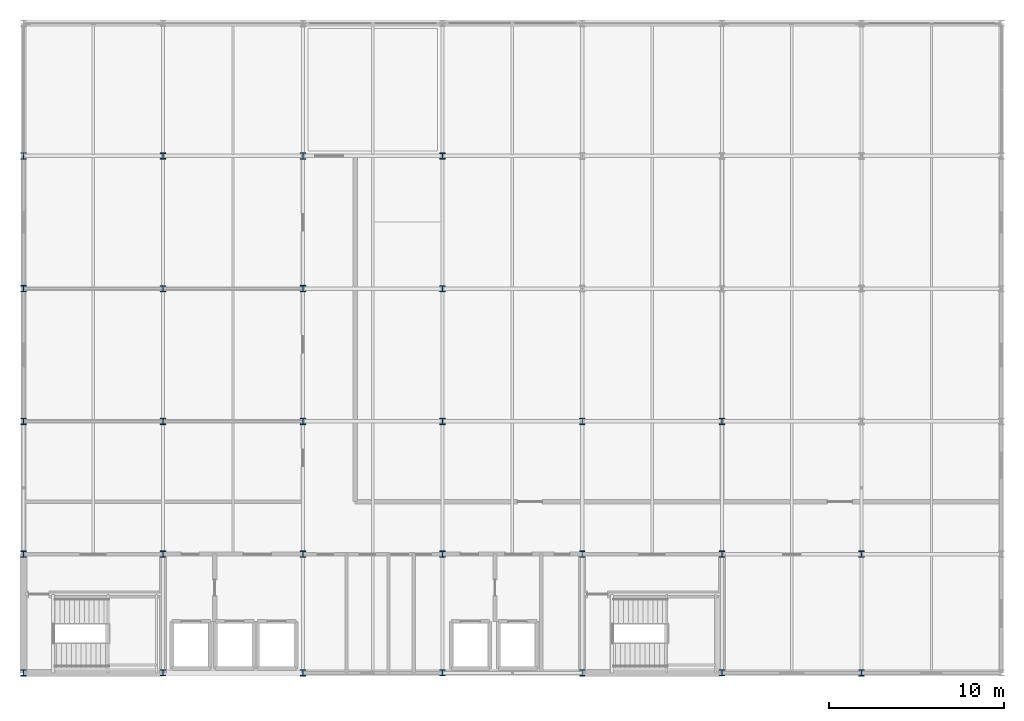
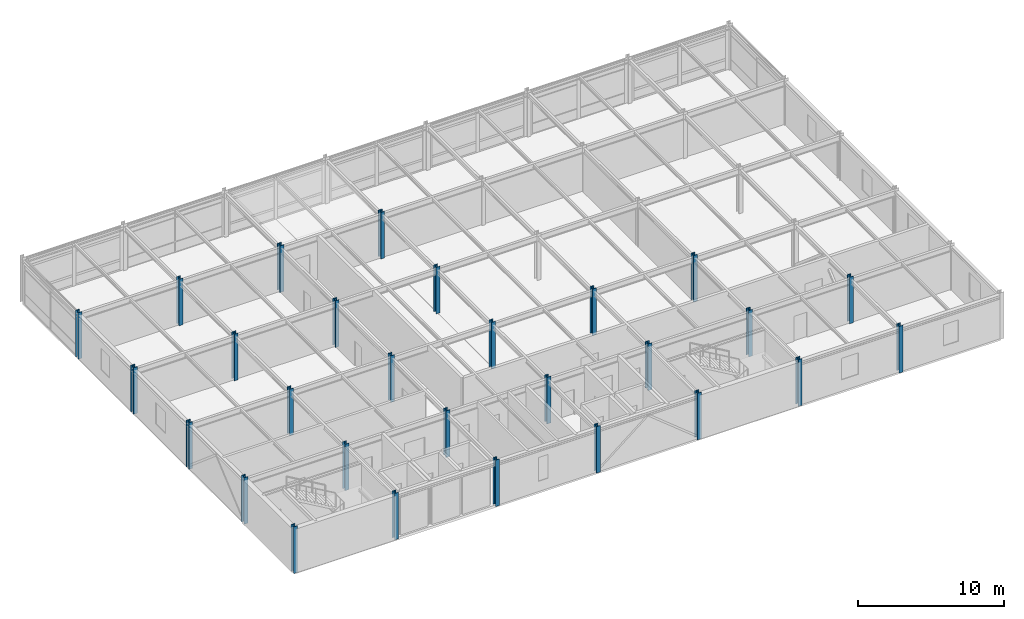
# One storey, part 1 of 16: 28 columns.
"""IFC4 building model written with IfcOpenShell, lengths in metres."""

from ifc_helpers import new_model, si_unit, direction, frame, origin, origin_2d, place, context, subcontext, project, spatial, i_section, extrude, material, material_profile, profile_set, type_object, element, save


model = new_model("IFC4")

# Units and contexts
model_context = context("Model", 3, precision=1e-05, world=origin(), true_north=direction((0.0, 1.0)))
body_context = subcontext(model_context, "Body", "Model", "MODEL_VIEW")
ifc_project = project(units=[si_unit("LENGTHUNIT", "METRE"), si_unit("AREAUNIT", "SQUARE_METRE"), si_unit("VOLUMEUNIT", "CUBIC_METRE"), si_unit("PLANEANGLEUNIT", "RADIAN"), si_unit("MASSUNIT", "GRAM", prefix="KILO")], contexts=[model_context])

# Site, building, storey
site_placement = place(None, origin())
site = spatial("IfcSite", under=ifc_project, at=site_placement, CompositionType="ELEMENT")
building_placement = place(site_placement, origin())
building = spatial("IfcBuilding", under=site, at=building_placement, Name="Shalkamar Park Central Library", CompositionType="ELEMENT")
storey_placement = place(building_placement, frame((0.0, 0.0, 43.800048828125)))
storey = spatial("IfcBuildingStorey", under=building, at=storey_placement, Name="L11", CompositionType="ELEMENT", Elevation=43.800048828125)

# Columns
ifc_material = material(Name="Steel S355", Category="steel")
ifc_material_profile_1 = material_profile(ifc_material, i_section(OverallWidth=0.30908203125, OverallDepth=0.35888671875, WebThickness=0.02099609375, FlangeThickness=0.0400390625, FilletRadius=0.027099609375, at=origin_2d()), Name="HEM 320")
ifc_profile_set_1 = profile_set([ifc_material_profile_1], Name="Steel S355")
column_type_1 = type_object("IfcColumnType", Name="Column Steel HEM320", PredefinedType="COLUMN", material=ifc_profile_set_1)
for number, where, z_axis, x_axis, name in (
    (1, (173.0, 248.39990234375, 0.0), (0.0, 0.0, 1.0), (1.0, 0.0, 0.0), "Column 08/B (L11)"),
    (2, (173.0, 255.199951171875, 0.0), (0.0, 0.0, 1.0), (1.0, 0.0, 0.0), "Column 08/C (L11)"),
    (3, (173.0, 262.800048828125, 0.0), (0.0, 0.0, 1.0), (1.0, 0.0, 0.0), "Column 08/D (L11)"),
    (4, (173.0, 270.39990234375, 0.0), (0.0, 0.0, 1.0), (1.0, 0.0, 0.0), "Column 08/E (L11)"),
    (5, (173.0, 278.0, 0.0), (0.0, 0.0, 1.0), (1.0, 0.0, 0.0), "Column 08/F (L11)"),
    (6, (189.0, 248.39990234375, 0.0), (0.0, 0.0, 1.0), (1.0, 0.0, 0.0), "Column 10/B (L11)"),
    (7, (189.0, 255.199951171875, 0.0), (0.0, 0.0, 1.0), (1.0, 0.0, 0.0), "Column 10/C (L11)"),
    (8, (189.0, 262.800048828125, 0.0), (0.0, 0.0, 1.0), (1.0, 0.0, 0.0), "Column 10/D (L11)"),
    (9, (189.0, 270.39990234375, 0.0), (0.0, 0.0, 1.0), (1.0, 0.0, 0.0), "Column 10/E (L11)"),
    (10, (189.0, 278.0, 0.0), (0.0, 0.0, 1.0), (1.0, 0.0, 0.0), "Column 10/F (L11)"),
    (11, (205.0, 248.39990234375, 0.0), (0.0, 0.0, 1.0), (1.0, 0.0, 0.0), "Column 12/B (L11)"),
    (12, (205.0, 255.199951171875, 0.0), (0.0, 0.0, 1.0), (1.0, 0.0, 0.0), "Column 12/C (L11)"),
    (13, (205.0, 262.800048828125, 0.0), (0.0, 0.0, 1.0), (1.0, 0.0, 0.0), "Column 12/D (L11)"),
):
    element("IfcColumn", number, at=place(storey_placement, frame(where, z_axis=z_axis, x_axis=x_axis)), inside=storey, type_object=column_type_1, Name=name, PredefinedType="COLUMN", context=body_context, shape_type="SweptSolid", body=[
        extrude(i_section(OverallWidth=0.30908203125, OverallDepth=0.35888671875, WebThickness=0.02099609375, FlangeThickness=0.0400390625, FilletRadius=0.027099609375, at=origin_2d()), origin(), (0.0, 0.0, 1.0), 3.89990234375),
    ])
ifc_material_profile_2 = material_profile(ifc_material, i_section(OverallWidth=0.30908203125, OverallDepth=0.376953125, WebThickness=0.02099609375, FlangeThickness=0.0400390625, FilletRadius=0.027099609375, at=origin_2d()), Name="HEM 340")
ifc_profile_set_2 = profile_set([ifc_material_profile_2], Name="Steel S355")
column_type_2 = type_object("IfcColumnType", Name="Column Steel HEM340", PredefinedType="COLUMN", material=ifc_profile_set_2)
for number, where, z_axis, x_axis, name in (
    (14, (165.0, 248.39990234375, 0.0), (0.0, 0.0, 1.0), (1.0, 0.0, 0.0), "Column 07/B (L11)"),
    (15, (165.0, 255.199951171875, 0.0), (0.0, 0.0, 1.0), (1.0, 0.0, 0.0), "Column 07/C (L11)"),
    (16, (165.0, 262.800048828125, 0.0), (0.0, 0.0, 1.0), (1.0, 0.0, 0.0), "Column 07/D (L11)"),
    (17, (165.0, 270.39990234375, 0.0), (0.0, 0.0, 1.0), (1.0, 0.0, 0.0), "Column 07/E (L11)"),
    (18, (165.0, 278.0, 0.0), (0.0, 0.0, 1.0), (1.0, 0.0, 0.0), "Column 07/F (L11)"),
    (19, (181.0, 248.39990234375, 0.0), (0.0, 0.0, 1.0), (1.0, 0.0, 0.0), "Column 09/B (L11)"),
    (20, (181.0, 255.199951171875, 0.0), (0.0, 0.0, 1.0), (1.0, 0.0, 0.0), "Column 09/C (L11)"),
    (21, (181.0, 262.800048828125, 0.0), (0.0, 0.0, 1.0), (1.0, 0.0, 0.0), "Column 09/D (L11)"),
    (22, (181.0, 270.39990234375, 0.0), (0.0, 0.0, 1.0), (1.0, 0.0, 0.0), "Column 09/E (L11)"),
    (23, (181.0, 278.0, 0.0), (0.0, 0.0, 1.0), (1.0, 0.0, 0.0), "Column 09/F (L11)"),
    (24, (197.0, 248.39990234375, 0.0), (0.0, 0.0, 1.0), (1.0, 0.0, 0.0), "Column 11/B (L11)"),
    (25, (197.0, 255.199951171875, 0.0), (0.0, 0.0, 1.0), (1.0, 0.0, 0.0), "Column 11/C (L11)"),
    (26, (197.0, 262.800048828125, 0.0), (0.0, 0.0, 1.0), (1.0, 0.0, 0.0), "Column 11/D (L11)"),
    (27, (213.0, 248.39990234375, 0.0), (0.0, 0.0, 1.0), (1.0, 0.0, 0.0), "Column 13/B (L11)"),
    (28, (213.0, 255.199951171875, 0.0), (0.0, 0.0, 1.0), (1.0, 0.0, 0.0), "Column 13/C (L11)"),
):
    element("IfcColumn", number, at=place(storey_placement, frame(where, z_axis=z_axis, x_axis=x_axis)), inside=storey, type_object=column_type_2, Name=name, PredefinedType="COLUMN", context=body_context, shape_type="SweptSolid", body=[
        extrude(i_section(OverallWidth=0.30908203125, OverallDepth=0.376953125, WebThickness=0.02099609375, FlangeThickness=0.0400390625, FilletRadius=0.027099609375, at=origin_2d()), origin(), (0.0, 0.0, 1.0), 3.89990234375),
    ])

save(model, "model.ifc")
